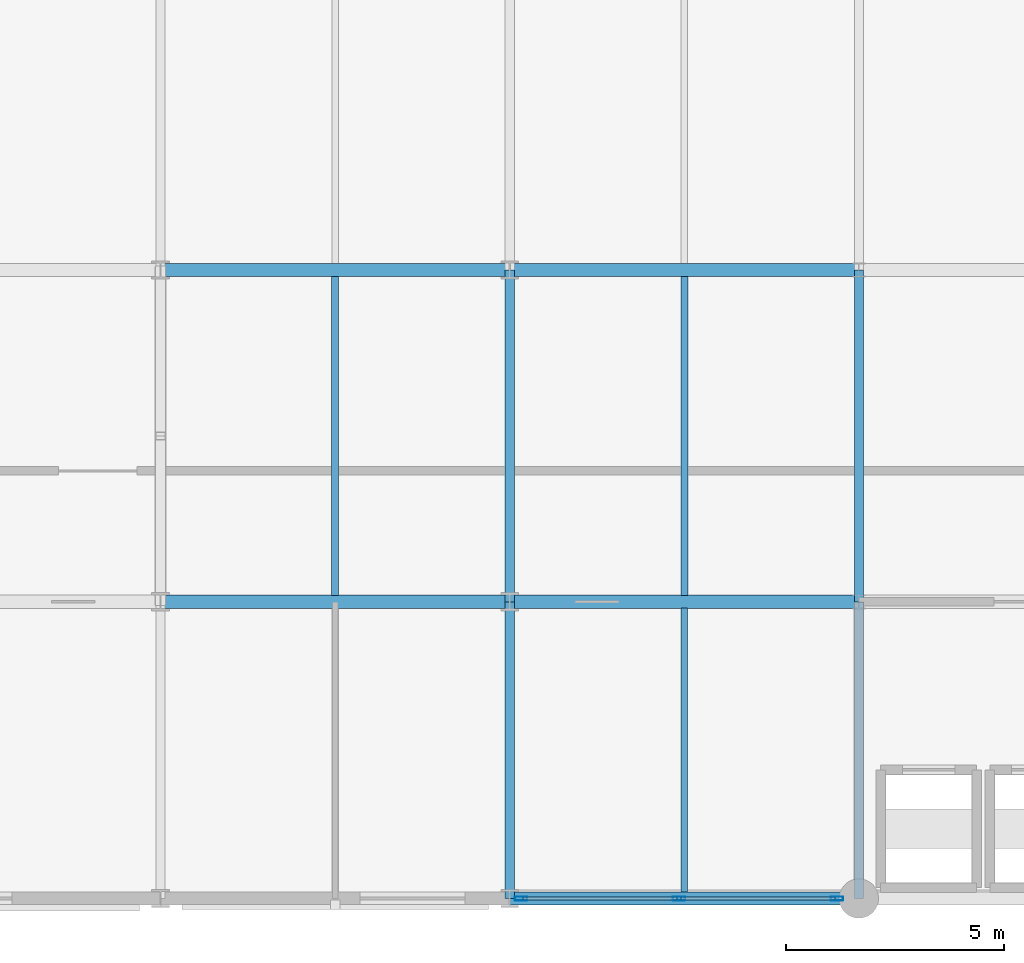
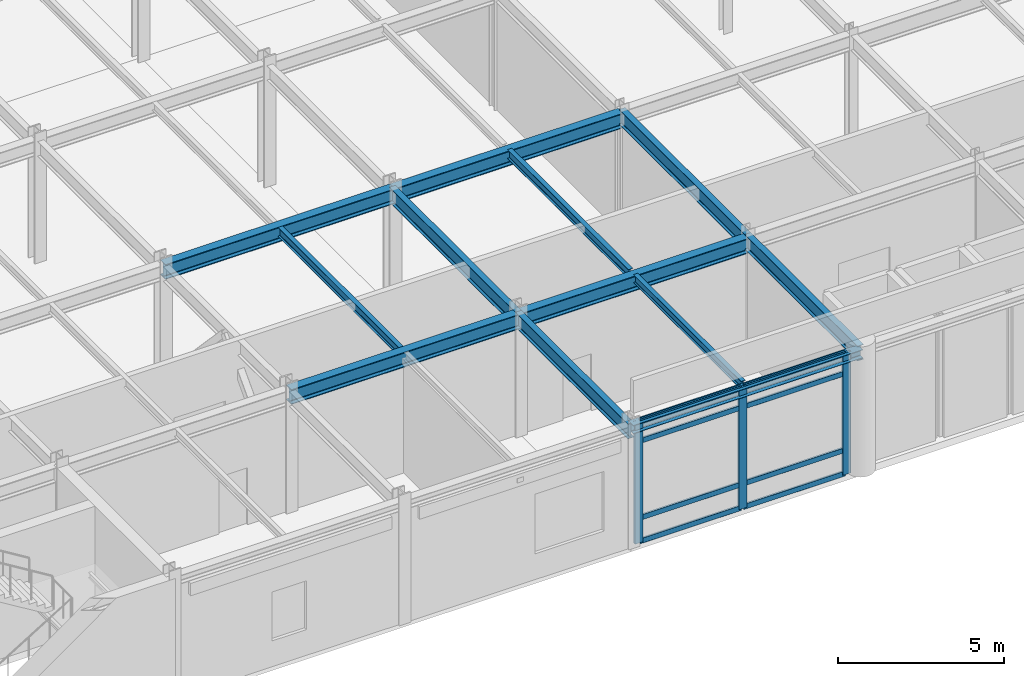
# One storey, part 17 of 43: 12 beams, 11 members, 1 element without a shape of its own.
"""IFC4 building model written with IfcOpenShell, lengths in metres."""

from ifc_helpers import new_model, si_unit, direction, frame, origin, origin_2d, place, context, subcontext, project, spatial, hollow_rectangle, i_section, extrude, material, layer, layer_set, material_profile, profile_set, type_object, element, aggregate, save


model = new_model("IFC4")

# Units and contexts
model_context = context("Model", 3, precision=1e-05, world=origin(), true_north=direction((0.0, 1.0)))
body_context = subcontext(model_context, "Body", "Model", "MODEL_VIEW")
ifc_project = project(units=[si_unit("LENGTHUNIT", "METRE"), si_unit("AREAUNIT", "SQUARE_METRE"), si_unit("VOLUMEUNIT", "CUBIC_METRE"), si_unit("PLANEANGLEUNIT", "RADIAN"), si_unit("MASSUNIT", "GRAM", prefix="KILO")], contexts=[model_context])

# Site, building, storey
site_placement = place(None, origin())
site = spatial("IfcSite", under=ifc_project, at=site_placement, CompositionType="ELEMENT")
building_placement = place(site_placement, origin())
building = spatial("IfcBuilding", under=site, at=building_placement, Name="Shalkamar Park Central Library", CompositionType="ELEMENT")
storey_placement = place(building_placement, frame((0.0, 0.0, 15.60009765625)))
storey = spatial("IfcBuildingStorey", under=building, at=storey_placement, Name="L04", CompositionType="ELEMENT", Elevation=15.60009765625)

# Beams
ifc_material_1 = material(Name="Steel S355", Category="steel")
ifc_material_profile_1 = material_profile(ifc_material_1, i_section(OverallWidth=0.14990234375, OverallDepth=0.300048828125, WebThickness=0.007080078125, FlangeThickness=0.0107421875, FilletRadius=0.014892578125, at=origin_2d()), Name="IPE 300")
ifc_profile_set_1 = profile_set([ifc_material_profile_1], Name="Steel S355")
beam_type_1 = type_object("IfcBeamType", Name="Composite Floor Joist IPE300", PredefinedType="JOIST", material=ifc_profile_set_1)
beam_1_placement = place(storey_placement, frame((225.0, 248.548095703125, 4.39990234375), z_axis=(0.0, 1.0, 0.0), x_axis=(-1.0, 0.0, 0.0)))
element("IfcBeam", 1, at=beam_1_placement, inside=storey, type_object=beam_type_1, Name="Composite Joist 14/B-1 (L04)", PredefinedType="JOIST", context=body_context, shape_type="SweptSolid", body=[
    extrude(i_section(OverallWidth=0.14990234375, OverallDepth=0.300048828125, WebThickness=0.007080078125, FlangeThickness=0.0107421875, FilletRadius=0.014892578125, at=origin_2d()), origin(), (0.0, 0.0, 1.0), 6.50390625),
])
ifc_material_profile_2 = material_profile(ifc_material_1, i_section(OverallWidth=0.159912109375, OverallDepth=0.330078125, WebThickness=0.007568359375, FlangeThickness=0.011474609375, FilletRadius=0.01806640625, at=origin_2d()), Name="IPE 330")
ifc_profile_set_2 = profile_set([ifc_material_profile_2], Name="Steel S355")
beam_type_2 = type_object("IfcBeamType", Name="Composite Floor Joist IPE330", PredefinedType="JOIST", material=ifc_profile_set_2)
for number, where, z_axis, x_axis, name in (
    (2, (217.0, 255.347900390625, 4.31494140625), (0.0, 1.0, 0.0), (-1.0, 0.0, 0.0), "Composite Joist 13/C-1 (L04)"),
    (3, (225.0, 255.347900390625, 4.385009765625), (0.0, 1.0, 0.0), (-1.0, 0.0, 0.0), "Composite Joist 14/C-1 (L04)"),
):
    element("IfcBeam", number, at=place(storey_placement, frame(where, z_axis=z_axis, x_axis=x_axis)), inside=storey, type_object=beam_type_2, Name=name, PredefinedType="JOIST", context=body_context, shape_type="SweptSolid", body=[
        extrude(i_section(OverallWidth=0.159912109375, OverallDepth=0.330078125, WebThickness=0.007568359375, FlangeThickness=0.011474609375, FilletRadius=0.01806640625, at=origin_2d()), origin(), (0.0, 0.0, 1.0), 7.30419921875),
    ])

# Curtain wall, members
ifc_material_2 = material(Name="Thermally broken aluminium and triple low-e curtain wall", Category="aluminium")
ifc_layer = layer(ifc_material_2, 0.280029296875)
ifc_layer_set = layer_set([ifc_layer], Name="UnitisedCurtainWall_52")
curtain_wall_type = type_object("IfcCurtainWallType", Name="Unitised Curtain Wall 52", PredefinedType="USERDEFINED", material=ifc_layer_set)
curtain_wall_placement = place(storey_placement, origin())
curtain_wall = element("IfcCurtainWall", 4, at=curtain_wall_placement, inside=storey, type_object=curtain_wall_type, Name="Unitised Curtain Wall CW-L04-066", ObjectType="UNITISED CURTAIN WALL", PredefinedType="USERDEFINED")
ifc_material_3 = material(Name="Aluminium 6060-T66", Category="aluminium")
ifc_material_profile_3 = material_profile(ifc_material_3, hollow_rectangle(XDim=0.090087890625, YDim=0.280029296875, WallThickness=0.0048828125, InnerFilletRadius=0.0048828125, OuterFilletRadius=0.007568359375, at=origin_2d()), Name="ALU 90x280x5")
ifc_profile_set_3 = profile_set([ifc_material_profile_3], Name="Aluminium 6060-T66")
member_type_1 = type_object("IfcMemberType", Name="Curtain Wall Mullion ALU90x280", PredefinedType="MULLION", material=ifc_profile_set_3)
member_1_placement = place(storey_placement, frame((221.257080078125, 248.39990234375, 0.0), z_axis=(0.0, 0.0, 1.0), x_axis=(0.0, 1.0, 0.0)))
member_1 = element("IfcMember", 5, at=member_1_placement, type_object=member_type_1, Name="CW-52 mullion 1", PredefinedType="MULLION", context=body_context, shape_type="SweptSolid", body=[
    extrude(hollow_rectangle(XDim=0.090087890625, YDim=0.280029296875, WallThickness=0.0048828125, InnerFilletRadius=0.0048828125, OuterFilletRadius=0.007568359375, at=origin_2d()), origin(), (0.0, 0.0, 1.0), 4.47998046875),
])
member_2_placement = place(storey_placement, frame((224.87890625, 248.39990234375, 0.0), z_axis=(0.0, 0.0, 1.0), x_axis=(0.0, 1.0, 0.0)))
member_2 = element("IfcMember", 6, at=member_2_placement, type_object=member_type_1, Name="CW-52 mullion 2", PredefinedType="MULLION", context=body_context, shape_type="SweptSolid", body=[
    extrude(hollow_rectangle(XDim=0.090087890625, YDim=0.280029296875, WallThickness=0.0048828125, InnerFilletRadius=0.0048828125, OuterFilletRadius=0.007568359375, at=origin_2d()), origin(), (0.0, 0.0, 1.0), 4.47998046875),
])
member_3_placement = place(storey_placement, frame((228.5009765625, 248.39990234375, 0.0), z_axis=(0.0, 0.0, 1.0), x_axis=(0.0, 1.0, 0.0)))
member_3 = element("IfcMember", 7, at=member_3_placement, type_object=member_type_1, Name="CW-52 mullion 3", PredefinedType="MULLION", context=body_context, shape_type="SweptSolid", body=[
    extrude(hollow_rectangle(XDim=0.090087890625, YDim=0.280029296875, WallThickness=0.0048828125, InnerFilletRadius=0.0048828125, OuterFilletRadius=0.007568359375, at=origin_2d()), origin(), (0.0, 0.0, 1.0), 4.47998046875),
])
ifc_material_profile_4 = material_profile(ifc_material_3, hollow_rectangle(XDim=0.070068359375, YDim=0.18994140625, WallThickness=0.0048828125, InnerFilletRadius=0.0048828125, OuterFilletRadius=0.007568359375, at=origin_2d()), Name="ALU 70x190x5")
ifc_profile_set_4 = profile_set([ifc_material_profile_4], Name="Aluminium 6060-T66")
member_type_2 = type_object("IfcMemberType", Name="Curtain Wall Transom ALU70x190", PredefinedType="USERDEFINED", material=ifc_profile_set_4)
member_4_placement = place(storey_placement, frame((221.302001953125, 248.39990234375, 0.034912109375), z_axis=(1.0, 0.0, 0.0), x_axis=(0.0, 1.0, 0.0)))
member_4 = element("IfcMember", 8, at=member_4_placement, type_object=member_type_2, Name="CW-52 transom 1.1", ObjectType="TRANSOM", PredefinedType="USERDEFINED", context=body_context, shape_type="SweptSolid", body=[
    extrude(hollow_rectangle(XDim=0.070068359375, YDim=0.18994140625, WallThickness=0.0048828125, InnerFilletRadius=0.0048828125, OuterFilletRadius=0.007568359375, at=origin_2d()), origin(), (0.0, 0.0, 1.0), 3.531982421875),
])
member_5_placement = place(storey_placement, frame((221.302001953125, 248.39990234375, 0.89990234375), z_axis=(1.0, 0.0, 0.0), x_axis=(0.0, 1.0, 0.0)))
member_5 = element("IfcMember", 9, at=member_5_placement, type_object=member_type_2, Name="CW-52 transom 1.2", ObjectType="TRANSOM", PredefinedType="USERDEFINED", context=body_context, shape_type="SweptSolid", body=[
    extrude(hollow_rectangle(XDim=0.070068359375, YDim=0.18994140625, WallThickness=0.0048828125, InnerFilletRadius=0.0048828125, OuterFilletRadius=0.007568359375, at=origin_2d()), origin(), (0.0, 0.0, 1.0), 3.531982421875),
])
member_6_placement = place(storey_placement, frame((221.302001953125, 248.39990234375, 3.72998046875), z_axis=(1.0, 0.0, 0.0), x_axis=(0.0, 1.0, 0.0)))
member_6 = element("IfcMember", 10, at=member_6_placement, type_object=member_type_2, Name="CW-52 transom 1.3", ObjectType="TRANSOM", PredefinedType="USERDEFINED", context=body_context, shape_type="SweptSolid", body=[
    extrude(hollow_rectangle(XDim=0.070068359375, YDim=0.18994140625, WallThickness=0.0048828125, InnerFilletRadius=0.0048828125, OuterFilletRadius=0.007568359375, at=origin_2d()), origin(), (0.0, 0.0, 1.0), 3.531982421875),
])
member_7_placement = place(storey_placement, frame((221.302001953125, 248.39990234375, 4.44482421875), z_axis=(1.0, 0.0, 0.0), x_axis=(0.0, 1.0, 0.0)))
member_7 = element("IfcMember", 11, at=member_7_placement, type_object=member_type_2, Name="CW-52 transom 1.4", ObjectType="TRANSOM", PredefinedType="USERDEFINED", context=body_context, shape_type="SweptSolid", body=[
    extrude(hollow_rectangle(XDim=0.070068359375, YDim=0.18994140625, WallThickness=0.0048828125, InnerFilletRadius=0.0048828125, OuterFilletRadius=0.007568359375, at=origin_2d()), origin(), (0.0, 0.0, 1.0), 3.531982421875),
])
member_8_placement = place(storey_placement, frame((224.924072265625, 248.39990234375, 0.034912109375), z_axis=(1.0, 0.0, 0.0), x_axis=(0.0, 1.0, 0.0)))
member_8 = element("IfcMember", 12, at=member_8_placement, type_object=member_type_2, Name="CW-52 transom 2.1", ObjectType="TRANSOM", PredefinedType="USERDEFINED", context=body_context, shape_type="SweptSolid", body=[
    extrude(hollow_rectangle(XDim=0.070068359375, YDim=0.18994140625, WallThickness=0.0048828125, InnerFilletRadius=0.0048828125, OuterFilletRadius=0.007568359375, at=origin_2d()), origin(), (0.0, 0.0, 1.0), 3.531982421875),
])
member_9_placement = place(storey_placement, frame((224.924072265625, 248.39990234375, 0.89990234375), z_axis=(1.0, 0.0, 0.0), x_axis=(0.0, 1.0, 0.0)))
member_9 = element("IfcMember", 13, at=member_9_placement, type_object=member_type_2, Name="CW-52 transom 2.2", ObjectType="TRANSOM", PredefinedType="USERDEFINED", context=body_context, shape_type="SweptSolid", body=[
    extrude(hollow_rectangle(XDim=0.070068359375, YDim=0.18994140625, WallThickness=0.0048828125, InnerFilletRadius=0.0048828125, OuterFilletRadius=0.007568359375, at=origin_2d()), origin(), (0.0, 0.0, 1.0), 3.531982421875),
])
member_10_placement = place(storey_placement, frame((224.924072265625, 248.39990234375, 3.72998046875), z_axis=(1.0, 0.0, 0.0), x_axis=(0.0, 1.0, 0.0)))
member_10 = element("IfcMember", 14, at=member_10_placement, type_object=member_type_2, Name="CW-52 transom 2.3", ObjectType="TRANSOM", PredefinedType="USERDEFINED", context=body_context, shape_type="SweptSolid", body=[
    extrude(hollow_rectangle(XDim=0.070068359375, YDim=0.18994140625, WallThickness=0.0048828125, InnerFilletRadius=0.0048828125, OuterFilletRadius=0.007568359375, at=origin_2d()), origin(), (0.0, 0.0, 1.0), 3.531982421875),
])
member_11_placement = place(storey_placement, frame((224.924072265625, 248.39990234375, 4.44482421875), z_axis=(1.0, 0.0, 0.0), x_axis=(0.0, 1.0, 0.0)))
member_11 = element("IfcMember", 15, at=member_11_placement, type_object=member_type_2, Name="CW-52 transom 2.4", ObjectType="TRANSOM", PredefinedType="USERDEFINED", context=body_context, shape_type="SweptSolid", body=[
    extrude(hollow_rectangle(XDim=0.070068359375, YDim=0.18994140625, WallThickness=0.0048828125, InnerFilletRadius=0.0048828125, OuterFilletRadius=0.007568359375, at=origin_2d()), origin(), (0.0, 0.0, 1.0), 3.531982421875),
])
aggregate(curtain_wall, [member_1, member_2, member_3, member_4, member_5, member_6, member_7, member_8, member_9, member_10, member_11])

# Beams
ifc_material_profile_5 = material_profile(ifc_material_1, i_section(OverallWidth=0.300048828125, OverallDepth=0.31005859375, WebThickness=0.009033203125, FlangeThickness=0.015380859375, FilletRadius=0.027099609375, at=origin_2d()), Name="HEA 320")
ifc_profile_set_5 = profile_set([ifc_material_profile_5], Name="Steel S355")
beam_type_3 = type_object("IfcBeamType", Name="Perimeter Spandrel Beam HEA320", PredefinedType="SPANDREL", material=ifc_profile_set_5)
beam_2_placement = place(storey_placement, frame((221.0, 248.39990234375, 4.324951171875), z_axis=(1.0, 0.0, 0.0), x_axis=(0.0, 1.0, 0.0)))
element("IfcBeam", 16, at=beam_2_placement, inside=storey, type_object=beam_type_3, Name="Beam B:14-15 (L04)", PredefinedType="SPANDREL", context=body_context, shape_type="SweptSolid", body=[
    extrude(i_section(OverallWidth=0.300048828125, OverallDepth=0.31005859375, WebThickness=0.009033203125, FlangeThickness=0.015380859375, FilletRadius=0.027099609375, at=origin_2d()), origin(), (0.0, 0.0, 1.0), 8.0),
])
ifc_material_profile_6 = material_profile(ifc_material_1, i_section(OverallWidth=0.300048828125, OverallDepth=0.550048828125, WebThickness=0.014892578125, FlangeThickness=0.029052734375, FilletRadius=0.027099609375, at=origin_2d()), Name="HEB 550")
ifc_profile_set_6 = profile_set([ifc_material_profile_6], Name="Steel S355")
beam_type_4 = type_object("IfcBeamType", Name="Primary Girder HEB550", PredefinedType="BEAM", material=ifc_profile_set_6)
for number, where, z_axis, x_axis, name in (
    (17, (213.0, 255.199951171875, 4.204833984375), (1.0, 0.0, 0.0), (0.0, 1.0, 0.0), "Beam C:13-14 (L04)"),
    (18, (221.0, 255.199951171875, 4.204833984375), (1.0, 0.0, 0.0), (0.0, 1.0, 0.0), "Beam C:14-15 (L04)"),
    (19, (213.0, 262.800048828125, 4.204833984375), (1.0, 0.0, 0.0), (0.0, 1.0, 0.0), "Beam D:13-14 (L04)"),
    (20, (221.0, 262.800048828125, 4.204833984375), (1.0, 0.0, 0.0), (0.0, 1.0, 0.0), "Beam D:14-15 (L04)"),
):
    element("IfcBeam", number, at=place(storey_placement, frame(where, z_axis=z_axis, x_axis=x_axis)), inside=storey, type_object=beam_type_4, Name=name, PredefinedType="BEAM", context=body_context, shape_type="SweptSolid", body=[
        extrude(i_section(OverallWidth=0.300048828125, OverallDepth=0.550048828125, WebThickness=0.014892578125, FlangeThickness=0.029052734375, FilletRadius=0.027099609375, at=origin_2d()), origin(), (0.0, 0.0, 1.0), 8.0),
    ])
ifc_material_profile_7 = material_profile(ifc_material_1, i_section(OverallWidth=0.2099609375, OverallDepth=0.550048828125, WebThickness=0.010986328125, FlangeThickness=0.01708984375, FilletRadius=0.02392578125, at=origin_2d()), Name="IPE 550")
ifc_profile_set_7 = profile_set([ifc_material_profile_7], Name="Steel S355")
beam_type_5 = type_object("IfcBeamType", Name="Primary Girder IPE550", PredefinedType="BEAM", material=ifc_profile_set_7)
beam_3_placement = place(storey_placement, frame((221.0, 248.39990234375, 4.204833984375), z_axis=(0.0, 1.0, 0.0), x_axis=(-1.0, 0.0, 0.0)))
element("IfcBeam", 21, at=beam_3_placement, inside=storey, type_object=beam_type_5, Name="Beam 14:B-C (L04)", PredefinedType="BEAM", context=body_context, shape_type="SweptSolid", body=[
    extrude(i_section(OverallWidth=0.2099609375, OverallDepth=0.550048828125, WebThickness=0.010986328125, FlangeThickness=0.01708984375, FilletRadius=0.02392578125, at=origin_2d()), origin(), (0.0, 0.0, 1.0), 6.800048828125),
])
beam_4_placement = place(storey_placement, frame((221.0, 255.199951171875, 4.204833984375), z_axis=(0.0, 1.0, 0.0), x_axis=(-1.0, 0.0, 0.0)))
element("IfcBeam", 22, at=beam_4_placement, inside=storey, type_object=beam_type_5, Name="Beam 14:C-D (L04)", PredefinedType="BEAM", context=body_context, shape_type="SweptSolid", body=[
    extrude(i_section(OverallWidth=0.2099609375, OverallDepth=0.550048828125, WebThickness=0.010986328125, FlangeThickness=0.01708984375, FilletRadius=0.02392578125, at=origin_2d()), origin(), (0.0, 0.0, 1.0), 7.60009765625),
])
beam_5_placement = place(storey_placement, frame((229.0, 248.39990234375, 4.27490234375), z_axis=(0.0, 1.0, 0.0), x_axis=(-1.0, 0.0, 0.0)))
element("IfcBeam", 23, at=beam_5_placement, inside=storey, type_object=beam_type_5, Name="Beam 15:B-C (L04)", PredefinedType="BEAM", context=body_context, shape_type="SweptSolid", body=[
    extrude(i_section(OverallWidth=0.2099609375, OverallDepth=0.550048828125, WebThickness=0.010986328125, FlangeThickness=0.01708984375, FilletRadius=0.02392578125, at=origin_2d()), origin(), (0.0, 0.0, 1.0), 6.800048828125),
])
beam_6_placement = place(storey_placement, frame((229.0, 255.199951171875, 4.27490234375), z_axis=(0.0, 1.0, 0.0), x_axis=(-1.0, 0.0, 0.0)))
element("IfcBeam", 24, at=beam_6_placement, inside=storey, type_object=beam_type_5, Name="Beam 15:C-D (L04)", PredefinedType="BEAM", context=body_context, shape_type="SweptSolid", body=[
    extrude(i_section(OverallWidth=0.2099609375, OverallDepth=0.550048828125, WebThickness=0.010986328125, FlangeThickness=0.01708984375, FilletRadius=0.02392578125, at=origin_2d()), origin(), (0.0, 0.0, 1.0), 7.60009765625),
])

save(model, "model.ifc")
